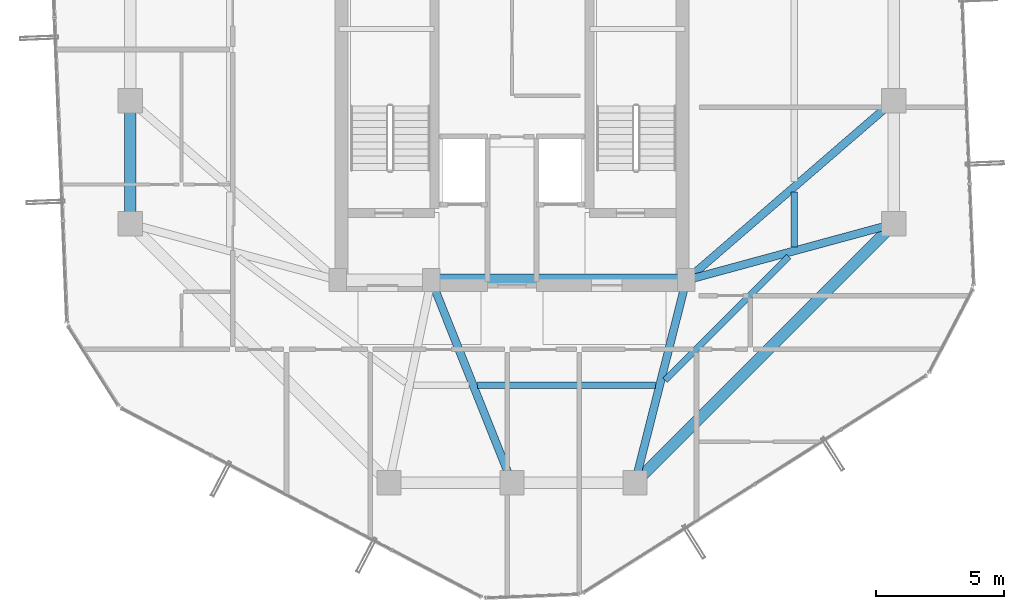
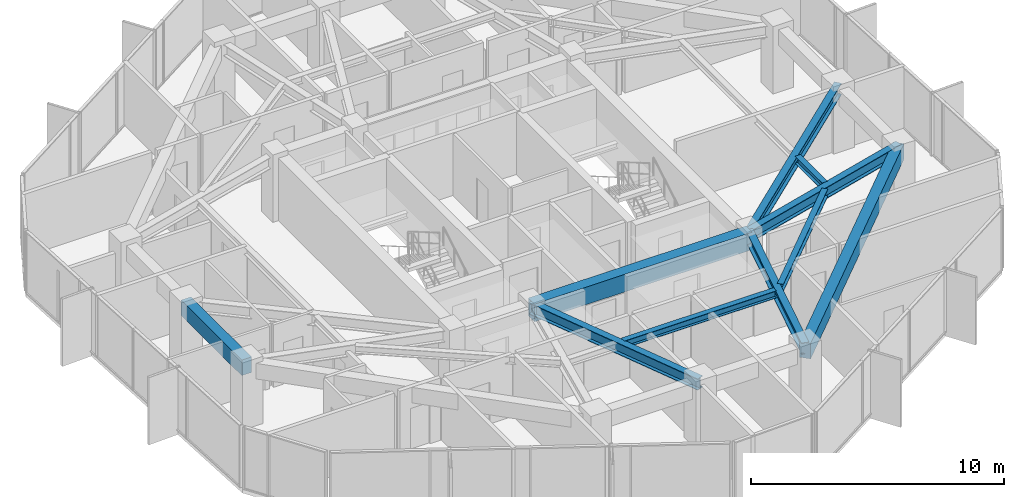
# One storey, part 11 of 33: 10 beams.
"""IFC4 building model written with IfcOpenShell, lengths in metres."""

from ifc_helpers import new_model, si_unit, direction, frame, origin, origin_2d, place, context, subcontext, project, spatial, rectangle, i_section, extrude, material, material_profile, profile_set, type_object, element, save


model = new_model("IFC4")

# Units and contexts
model_context = context("Model", 3, precision=1e-05, world=origin(), true_north=direction((0.0, 1.0)))
body_context = subcontext(model_context, "Body", "Model", "MODEL_VIEW")
ifc_project = project(units=[si_unit("LENGTHUNIT", "METRE"), si_unit("AREAUNIT", "SQUARE_METRE"), si_unit("VOLUMEUNIT", "CUBIC_METRE"), si_unit("PLANEANGLEUNIT", "RADIAN"), si_unit("MASSUNIT", "GRAM", prefix="KILO")], contexts=[model_context])

# Site, building, storey
site_placement = place(None, origin())
site = spatial("IfcSite", under=ifc_project, at=site_placement, CompositionType="ELEMENT")
building_placement = place(site_placement, origin())
building = spatial("IfcBuilding", under=site, at=building_placement, Name="Veraguas Prism Commons", CompositionType="ELEMENT")
storey_placement = place(building_placement, frame((0.0, 0.0, 198.35009765625)))
storey = spatial("IfcBuildingStorey", under=building, at=storey_placement, Name="L56", CompositionType="ELEMENT", Elevation=198.35009765625)

# Beams
ifc_material_1 = material(Name="Concrete C50/60", Category="concrete")
ifc_material_profile_1 = material_profile(ifc_material_1, rectangle(XDim=0.5, YDim=0.85009765625, at=origin_2d()), Name="RC500X850")
ifc_profile_set_1 = profile_set([ifc_material_profile_1], Name="Concrete C50/60")
beam_type_1 = type_object("IfcBeamType", Name="Core Coupling Beam RC 500x850", PredefinedType="BEAM", material=ifc_profile_set_1)
beam_1_placement = place(storey_placement, frame((20.85009765625, 17.0, 2.58984375), z_axis=(1.0, 0.0, 0.0), x_axis=(0.0, 1.0, 0.0)))
element("IfcBeam", 1, at=beam_1_placement, inside=storey, type_object=beam_type_1, Name="Core Coupling Beam L56-CRS2", PredefinedType="BEAM", context=body_context, shape_type="SweptSolid", body=[
    extrude(rectangle(XDim=0.5, YDim=0.85009765625, at=origin_2d()), origin(), (0.0, 0.0, 1.0), 9.949951171875),
])
ifc_material_profile_2 = material_profile(ifc_material_1, rectangle(XDim=0.449951171875, YDim=0.75, at=origin_2d()), Name="RC450X750")
ifc_profile_set_2 = profile_set([ifc_material_profile_2], Name="Concrete C50/60")
beam_type_2 = type_object("IfcBeamType", Name="Perimeter Spandrel Upper RC 450x750", PredefinedType="SPANDREL", material=ifc_profile_set_2)
beam_2_placement = place(storey_placement, frame((9.10009765625, 24.0, 2.639892578125), z_axis=(0.0, -1.0, 0.0), x_axis=(1.0, 0.0, 0.0)))
element("IfcBeam", 2, at=beam_2_placement, inside=storey, type_object=beam_type_2, Name="Perimeter Spandrel Beam L56-SP08", PredefinedType="SPANDREL", context=body_context, shape_type="SweptSolid", body=[
    extrude(rectangle(XDim=0.449951171875, YDim=0.75, at=origin_2d()), origin(), (0.0, 0.0, 1.0), 4.800048828125),
])
beam_3_placement = place(storey_placement, frame((28.800048828125, 9.10009765625, 2.639892578125), z_axis=(0.707106781187, 0.707106781187, 0.0), x_axis=(-0.707106781187, 0.707106781187, 0.0)))
element("IfcBeam", 3, at=beam_3_placement, inside=storey, type_object=beam_type_2, Name="Perimeter Spandrel Beam L56-SP12", PredefinedType="SPANDREL", context=body_context, shape_type="SweptSolid", body=[
    extrude(rectangle(XDim=0.449951171875, YDim=0.75, at=origin_2d()), origin(), (0.0, 0.0, 1.0), 14.283447265625),
])
ifc_material_2 = material(Name="Steel ASTM A992 Grade 50", Category="steel")
ifc_material_profile_3 = material_profile(ifc_material_2, i_section(OverallWidth=0.25390625, OverallDepth=0.35302734375, WebThickness=0.009521484375, FlangeThickness=0.016357421875, at=origin_2d()), Name="W360X91")
ifc_profile_set_3 = profile_set([ifc_material_profile_3], Name="Steel ASTM A992 Grade 50")
beam_type_3 = type_object("IfcBeamType", Name="Upper Floor Joist W360x91", PredefinedType="JOIST", material=ifc_profile_set_3)
beam_4_placement = place(storey_placement, frame((35.011962890625, 18.302978515625, 2.83837890625), z_axis=(0.0, 1.0, 0.0), x_axis=(-1.0, 0.0, 0.0)))
element("IfcBeam", 4, at=beam_4_placement, inside=storey, type_object=beam_type_3, Name="Composite Floor Joist L56-JS01", PredefinedType="JOIST", context=body_context, shape_type="SweptSolid", body=[
    extrude(i_section(OverallWidth=0.25390625, OverallDepth=0.35302734375, WebThickness=0.009521484375, FlangeThickness=0.016357421875, at=origin_2d()), origin(), (0.0, 0.0, 1.0), 2.134033203125),
])
beam_5_placement = place(storey_placement, frame((22.6533203125, 12.89208984375, 2.83837890625), z_axis=(1.0, 0.0, 0.0), x_axis=(0.0, 1.0, 0.0)))
element("IfcBeam", 5, at=beam_5_placement, inside=storey, type_object=beam_type_3, Name="Composite Floor Joist L56-JS11", PredefinedType="JOIST", context=body_context, shape_type="SweptSolid", body=[
    extrude(i_section(OverallWidth=0.25390625, OverallDepth=0.35302734375, WebThickness=0.009521484375, FlangeThickness=0.016357421875, at=origin_2d()), origin(), (0.0, 0.0, 1.0), 6.948486328125),
])
beam_6_placement = place(storey_placement, frame((29.971923828125, 13.10400390625, 2.83837890625), z_axis=(0.707124682851, 0.707088879069, 0.0), x_axis=(-0.707088879069, 0.707124682851, 0.0)))
element("IfcBeam", 6, at=beam_6_placement, inside=storey, type_object=beam_type_3, Name="Composite Floor Joist L56-JS12", PredefinedType="JOIST", context=body_context, shape_type="SweptSolid", body=[
    extrude(i_section(OverallWidth=0.25390625, OverallDepth=0.35302734375, WebThickness=0.009521484375, FlangeThickness=0.016357421875, at=origin_2d()), origin(), (0.0, 0.0, 1.0), 6.81884765625),
])
ifc_material_profile_4 = material_profile(ifc_material_2, i_section(OverallWidth=0.31103515625, OverallDepth=0.5458984375, WebThickness=0.0146484375, FlangeThickness=0.023681640625, at=origin_2d()), Name="W530X165")
ifc_profile_set_4 = profile_set([ifc_material_profile_4], Name="Steel ASTM A992 Grade 50")
beam_type_4 = type_object("IfcBeamType", Name="Zone 3 Radial Girder W530x165", PredefinedType="BEAM", material=ifc_profile_set_4)
beam_7_placement = place(storey_placement, frame((38.89990234375, 19.199951171875, 2.741943359375), z_axis=(-0.965038506703, -0.262108146725, 0.0), x_axis=(0.262108146725, -0.965038506703, 0.0)))
element("IfcBeam", 7, at=beam_7_placement, inside=storey, type_object=beam_type_4, Name="Radial Floor Girder L56-RD01", PredefinedType="BEAM", context=body_context, shape_type="SweptSolid", body=[
    extrude(i_section(OverallWidth=0.31103515625, OverallDepth=0.5458984375, WebThickness=0.0146484375, FlangeThickness=0.023681640625, at=origin_2d()), origin(), (0.0, 0.0, 1.0), 8.393310546875),
])
beam_8_placement = place(storey_placement, frame((38.89990234375, 24.0, 2.741943359375), z_axis=(-0.756607086554, -0.653869800936, 0.0), x_axis=(0.653869800936, -0.756607086554, 0.0)))
element("IfcBeam", 8, at=beam_8_placement, inside=storey, type_object=beam_type_4, Name="Radial Floor Girder L56-RD02", PredefinedType="BEAM", context=body_context, shape_type="SweptSolid", body=[
    extrude(i_section(OverallWidth=0.31103515625, OverallDepth=0.5458984375, WebThickness=0.0146484375, FlangeThickness=0.023681640625, at=origin_2d()), origin(), (0.0, 0.0, 1.0), 10.70556640625),
])
beam_9_placement = place(storey_placement, frame((24.0, 9.10009765625, 2.741943359375), z_axis=(-0.370370877803, 0.928883960931, 0.0), x_axis=(-0.928883960931, -0.370370877803, 0.0)))
element("IfcBeam", 9, at=beam_9_placement, inside=storey, type_object=beam_type_4, Name="Radial Floor Girder L56-RD11", PredefinedType="BEAM", context=body_context, shape_type="SweptSolid", body=[
    extrude(i_section(OverallWidth=0.31103515625, OverallDepth=0.5458984375, WebThickness=0.0146484375, FlangeThickness=0.023681640625, at=origin_2d()), origin(), (0.0, 0.0, 1.0), 8.504638671875),
])
beam_10_placement = place(storey_placement, frame((28.800048828125, 9.10009765625, 2.741943359375), z_axis=(0.245424718066, 0.969415652732, 0.0), x_axis=(-0.969415652732, 0.245424718066, 0.0)))
element("IfcBeam", 10, at=beam_10_placement, inside=storey, type_object=beam_type_4, Name="Radial Floor Girder L56-RD12", PredefinedType="BEAM", context=body_context, shape_type="SweptSolid", body=[
    extrude(i_section(OverallWidth=0.31103515625, OverallDepth=0.5458984375, WebThickness=0.0146484375, FlangeThickness=0.023681640625, at=origin_2d()), origin(), (0.0, 0.0, 1.0), 8.149169921875),
])

save(model, "model.ifc")
